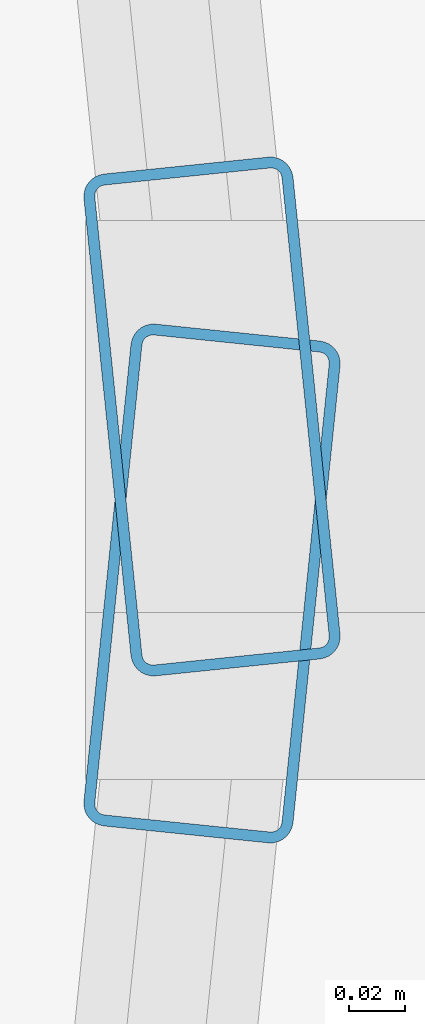
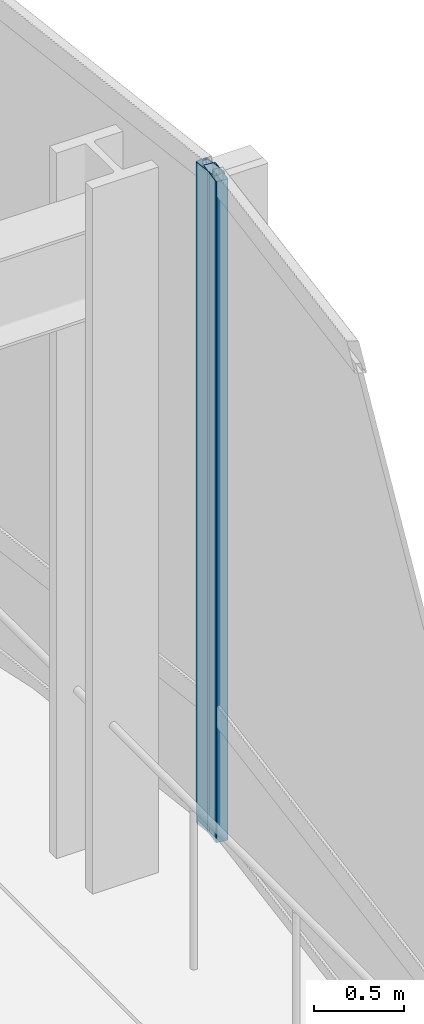
# One storey, part 27 of 42: 2 members, 2 elements without a shape of their own.
"""IFC4 building model written with IfcOpenShell, lengths in metres."""

from ifc_helpers import new_model, si_unit, direction, frame, origin, origin_2d, place, context, subcontext, project, spatial, hollow_rectangle, extrude, material, layer, layer_set, material_profile, profile_set, type_object, element, aggregate, save


model = new_model("IFC4")

# Units and contexts
model_context = context("Model", 3, precision=1e-05, world=origin(), true_north=direction((0.0, 1.0)))
body_context = subcontext(model_context, "Body", "Model", "MODEL_VIEW")
ifc_project = project(units=[si_unit("LENGTHUNIT", "METRE"), si_unit("AREAUNIT", "SQUARE_METRE"), si_unit("VOLUMEUNIT", "CUBIC_METRE"), si_unit("PLANEANGLEUNIT", "RADIAN"), si_unit("MASSUNIT", "GRAM", prefix="KILO")], contexts=[model_context])

# Site, building, storey
site_placement = place(None, origin())
site = spatial("IfcSite", under=ifc_project, at=site_placement, CompositionType="ELEMENT")
building_placement = place(site_placement, origin())
building = spatial("IfcBuilding", under=site, at=building_placement, Name="Solvaryn Broadcast Tower", CompositionType="ELEMENT")
storey_placement = place(building_placement, frame((0.0, 0.0, 100.199951171875)))
storey = spatial("IfcBuildingStorey", under=building, at=storey_placement, Name="L24", CompositionType="ELEMENT", Elevation=100.199951171875)

# Curtain wall, member
ifc_material_1 = material(Name="Aluminium and Terracotta Unitised Curtain Wall", Category="masonry")
ifc_layer = layer(ifc_material_1, 0.199951171875)
ifc_layer_set = layer_set([ifc_layer], Name="CW-SYS2-LOWMID")
curtain_wall_type = type_object("IfcCurtainWallType", Name="CW-SYS2-LOWMID", PredefinedType="NOTDEFINED", material=ifc_layer_set)
curtain_wall_1_placement = place(storey_placement, origin())
curtain_wall_1 = element("IfcCurtainWall", 1, at=curtain_wall_1_placement, inside=storey, type_object=curtain_wall_type, Name="L24 Curtain Wall ET1", PredefinedType="NOTDEFINED")
ifc_material_2 = material(Name="Anodised Aluminium 6063-T6", Category="aluminium")
ifc_material_profile = material_profile(ifc_material_2, hollow_rectangle(XDim=0.074951171875, YDim=0.179931640625, WallThickness=0.00390625, InnerFilletRadius=0.00390625, OuterFilletRadius=0.008056640625, at=origin_2d()))
ifc_profile_set = profile_set([ifc_material_profile], Name="Anodised Aluminium 6063-T6")
member_type = type_object("IfcMemberType", Name="CW-MUL-180", PredefinedType="MULLION", material=ifc_profile_set)
member_1_placement = place(storey_placement, frame((63.697021484375, 18.02978515625, 0.0), z_axis=(0.0, 0.0, 1.0), x_axis=(0.99474329889, 0.10240004548, 0.0)))
member_1 = element("IfcMember", 2, at=member_1_placement, type_object=member_type, Name="CWS2 mullion 2", PredefinedType="MULLION", context=body_context, shape_type="SweptSolid", body=[
    extrude(hollow_rectangle(XDim=0.074951171875, YDim=0.179931640625, WallThickness=0.00390625, InnerFilletRadius=0.00390625, OuterFilletRadius=0.008056640625, at=origin_2d()), origin(), (0.0, 0.0, 1.0), 4.469970703125),
])
aggregate(curtain_wall_1, [member_1])

curtain_wall_2_placement = place(storey_placement, origin())
curtain_wall_2 = element("IfcCurtainWall", 3, at=curtain_wall_2_placement, inside=storey, type_object=curtain_wall_type, Name="L24 Curtain Wall ET2", PredefinedType="NOTDEFINED")
member_2_placement = place(storey_placement, frame((63.697021484375, 17.97021484375, 0.0), z_axis=(0.0, 0.0, 1.0), x_axis=(0.99474329889, -0.10240004548, 0.0)))
member_2 = element("IfcMember", 4, at=member_2_placement, type_object=member_type, Name="CWS2 mullion 1", PredefinedType="MULLION", context=body_context, shape_type="SweptSolid", body=[
    extrude(hollow_rectangle(XDim=0.074951171875, YDim=0.179931640625, WallThickness=0.00390625, InnerFilletRadius=0.00390625, OuterFilletRadius=0.008056640625, at=origin_2d()), origin(), (0.0, 0.0, 1.0), 4.469970703125),
])
aggregate(curtain_wall_2, [member_2])

save(model, "model.ifc")
